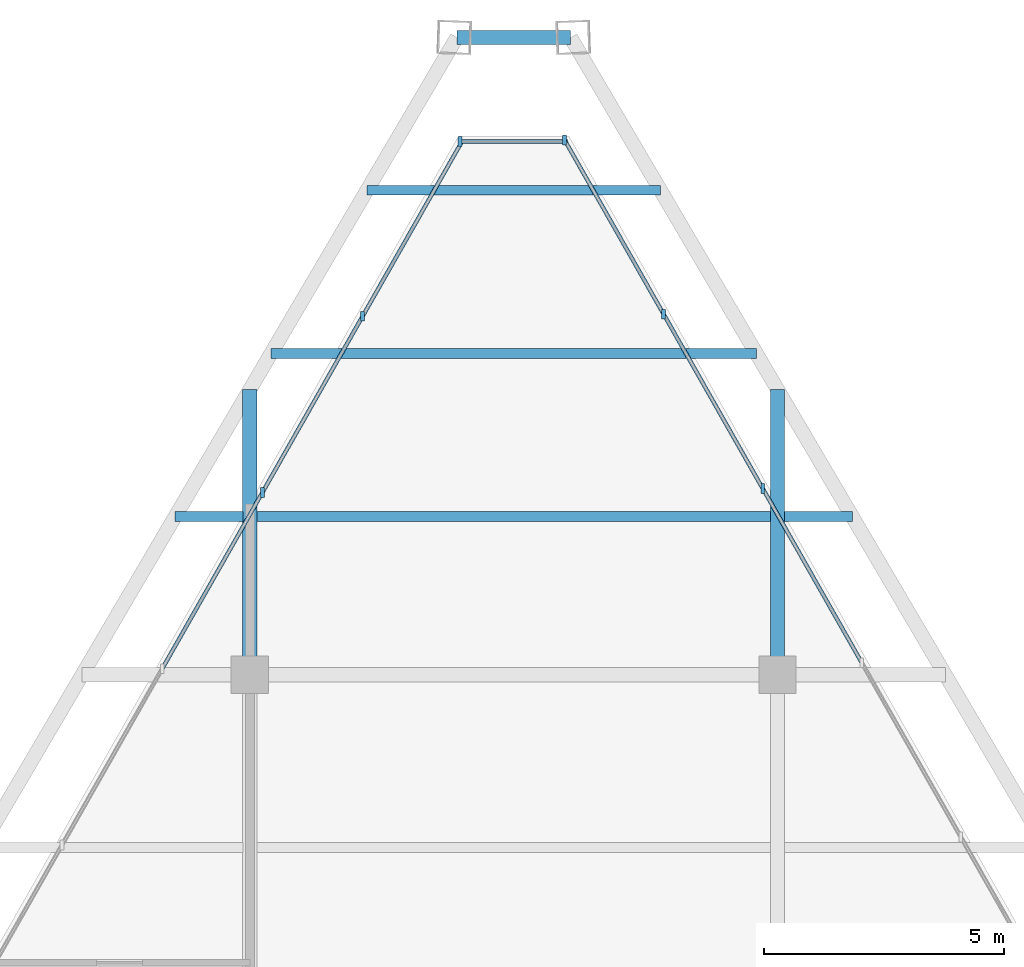
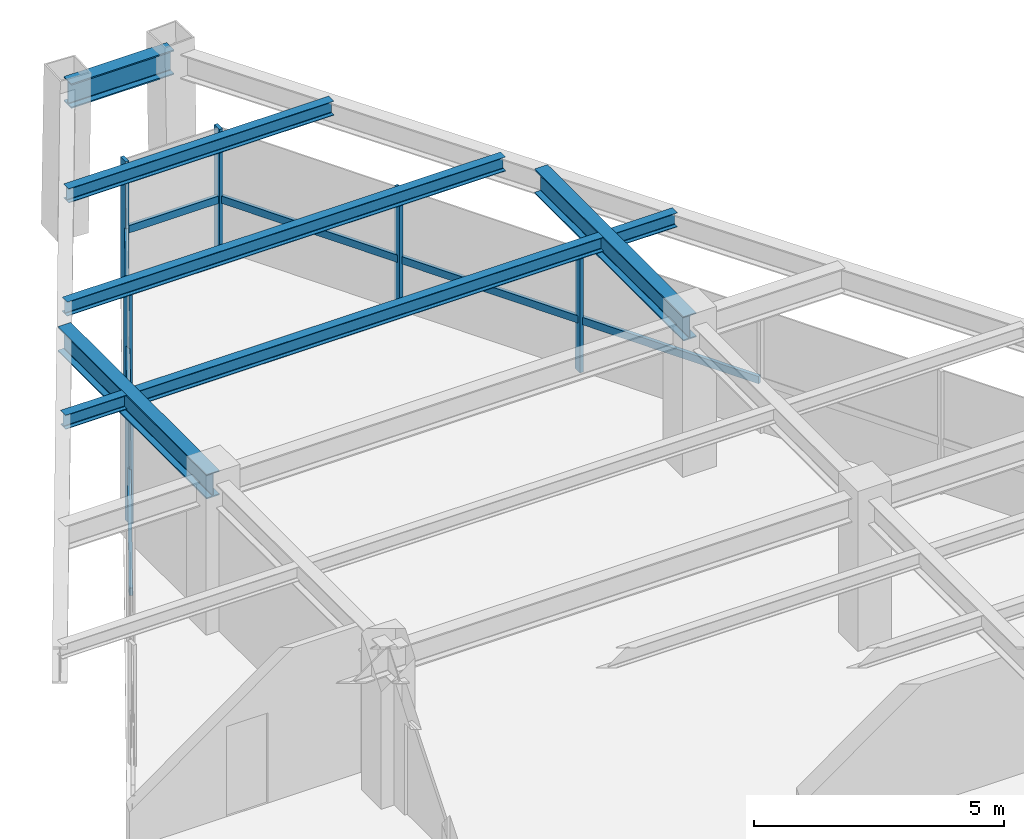
# One storey, part 8 of 12: 13 members, 8 beams, 3 elements without a shape of their own.
"""IFC4 building model written with IfcOpenShell, lengths in metres."""

from ifc_helpers import new_model, si_unit, direction, frame, origin, origin_2d, place, context, subcontext, project, spatial, rectangle, i_section, extrude, source, transform, mapped, material, material_profile, profile_set, type_object, type_shapes, element, aggregate, save


model = new_model("IFC4")

# Units and contexts
model_context = context("Model", 3, precision=1e-05, world=origin(), true_north=direction((0.0, 1.0)))
body_context = subcontext(model_context, "Body", "Model", "MODEL_VIEW")
ifc_project = project(units=[si_unit("LENGTHUNIT", "METRE"), si_unit("AREAUNIT", "SQUARE_METRE"), si_unit("VOLUMEUNIT", "CUBIC_METRE"), si_unit("PLANEANGLEUNIT", "RADIAN"), si_unit("MASSUNIT", "GRAM", prefix="KILO")], contexts=[model_context])

# Site, building, storey
site_placement = place(None, origin())
site = spatial("IfcSite", under=ifc_project, at=site_placement, CompositionType="ELEMENT")
building_placement = place(site_placement, origin())
building = spatial("IfcBuilding", under=site, at=building_placement, Name="Varnakhor Terracotta Tower", CompositionType="ELEMENT")
storey_placement = place(building_placement, frame((0.0, 0.0, 309.699951171875)))
storey = spatial("IfcBuildingStorey", under=building, at=storey_placement, Name="L81 Crown", CompositionType="ELEMENT", Elevation=309.699951171875)

# Beams
ifc_material_1 = material(Name="Steel S355", Category="steel")
ifc_material_profile_1 = material_profile(ifc_material_1, i_section(OverallWidth=0.300048828125, OverallDepth=0.60009765625, WebThickness=0.015380859375, FlangeThickness=0.030029296875, FilletRadius=0.01806640625, at=origin_2d()), Name="HEB600")
ifc_profile_set_1 = profile_set([ifc_material_profile_1], Name="Steel S355")
beam_type_1 = type_object("IfcBeamType", Name="BM-HEB600", PredefinedType="BEAM", material=ifc_profile_set_1)
shared_shape_1 = source(origin(), body_context, "Body", "SweptSolid", [
    extrude(i_section(OverallWidth=0.300048828125, OverallDepth=0.60009765625, WebThickness=0.015380859375, FlangeThickness=0.030029296875, FilletRadius=0.01806640625, at=origin_2d()), origin(), (0.0, 0.0, 1.0), 2.373046875),
])
beam_1_placement = place(storey_placement, frame((1.1865234375, 44.78759765625, 3.300048828125), z_axis=(-1.0, 0.0, 0.0), x_axis=(0.0, -1.0, 0.0)))
element("IfcBeam", 1, at=beam_1_placement, inside=storey, type_object=beam_type_1, Name="L81 Crown Perimeter Spandrel 5", PredefinedType="BEAM", context=body_context, shape_type="MappedRepresentation", body=[
    mapped(shared_shape_1, transform((0.0, 0.0, 0.0), scale=1.0)),
])
shared_shape_2 = source(origin(), body_context, "Body", "SweptSolid", [
    extrude(i_section(OverallWidth=0.300048828125, OverallDepth=0.60009765625, WebThickness=0.015380859375, FlangeThickness=0.030029296875, FilletRadius=0.01806640625, at=origin_2d()), origin(), (0.0, 0.0, 1.0), 5.949951171875),
])
for number, where, z_axis, x_axis, name in (
    (2, (-5.5, 31.5, 3.300048828125), (0.0, 1.0, 0.0), (-1.0, 0.0, 0.0), "L81 Crown Primary Girder NS3-W"),
    (3, (5.5, 31.5, 3.300048828125), (0.0, 1.0, 0.0), (-1.0, 0.0, 0.0), "L81 Crown Primary Girder NS3-E"),
):
    element("IfcBeam", number, at=place(storey_placement, frame(where, z_axis=z_axis, x_axis=x_axis)), inside=storey, type_object=beam_type_1, Name=name, PredefinedType="BEAM", context=body_context, shape_type="MappedRepresentation", body=[
        mapped(shared_shape_2, transform((0.0, 0.0, 0.0), scale=1.0)),
    ])
ifc_material_profile_2 = material_profile(ifc_material_1, i_section(OverallWidth=0.202880859375, OverallDepth=0.346923828125, WebThickness=0.0078125, FlangeThickness=0.013427734375, FilletRadius=0.01806640625, at=origin_2d()), Name="W14X43")
ifc_profile_set_2 = profile_set([ifc_material_profile_2], Name="Steel S355")
beam_type_2 = type_object("IfcBeamType", Name="JST-W14X43", PredefinedType="JOIST", material=ifc_profile_set_2)
shared_shape_3 = source(origin(), body_context, "Body", "SweptSolid", [
    extrude(i_section(OverallWidth=0.202880859375, OverallDepth=0.346923828125, WebThickness=0.0078125, FlangeThickness=0.013427734375, FilletRadius=0.01806640625, at=origin_2d()), origin(), (0.0, 0.0, 1.0), 10.7080078125),
])
beam_2_placement = place(storey_placement, frame((-5.35400390625, 34.800048828125, 3.426513671875), z_axis=(1.0, 0.0, 0.0), x_axis=(0.0, 1.0, 0.0)))
element("IfcBeam", 4, at=beam_2_placement, inside=storey, type_object=beam_type_2, Name="L81 Crown Composite Floor Joist 7-2", PredefinedType="JOIST", context=body_context, shape_type="MappedRepresentation", body=[
    mapped(shared_shape_3, transform((0.0, 0.0, 0.0), scale=1.0)),
])
shared_shape_4 = source(origin(), body_context, "Body", "SweptSolid", [
    extrude(i_section(OverallWidth=0.202880859375, OverallDepth=0.346923828125, WebThickness=0.0078125, FlangeThickness=0.013427734375, FilletRadius=0.01806640625, at=origin_2d()), origin(), (0.0, 0.0, 1.0), 1.411865234375),
])
for number, where, z_axis, x_axis, name in (
    (5, (-7.057861328125, 34.800048828125, 3.426513671875), (1.0, 0.0, 0.0), (0.0, 1.0, 0.0), "L81 Crown Composite Floor Joist 7-1"),
    (6, (5.64599609375, 34.800048828125, 3.426513671875), (1.0, 0.0, 0.0), (0.0, 1.0, 0.0), "L81 Crown Composite Floor Joist 7-3"),
):
    element("IfcBeam", number, at=place(storey_placement, frame(where, z_axis=z_axis, x_axis=x_axis)), inside=storey, type_object=beam_type_2, Name=name, PredefinedType="JOIST", context=body_context, shape_type="MappedRepresentation", body=[
        mapped(shared_shape_4, transform((0.0, 0.0, 0.0), scale=1.0)),
    ])
shared_shape_5 = source(origin(), body_context, "Body", "SweptSolid", [
    extrude(i_section(OverallWidth=0.202880859375, OverallDepth=0.346923828125, WebThickness=0.0078125, FlangeThickness=0.013427734375, FilletRadius=0.01806640625, at=origin_2d()), origin(), (0.0, 0.0, 1.0), 10.1181640625),
])
beam_3_placement = place(storey_placement, frame((-5.05908203125, 38.199951171875, 3.426513671875), z_axis=(1.0, 0.0, 0.0), x_axis=(0.0, 1.0, 0.0)))
element("IfcBeam", 7, at=beam_3_placement, inside=storey, type_object=beam_type_2, Name="L81 Crown Composite Floor Joist 8-1", PredefinedType="JOIST", context=body_context, shape_type="MappedRepresentation", body=[
    mapped(shared_shape_5, transform((0.0, 0.0, 0.0), scale=1.0)),
])
shared_shape_6 = source(origin(), body_context, "Body", "SweptSolid", [
    extrude(i_section(OverallWidth=0.202880859375, OverallDepth=0.346923828125, WebThickness=0.0078125, FlangeThickness=0.013427734375, FilletRadius=0.01806640625, at=origin_2d()), origin(), (0.0, 0.0, 1.0), 6.12060546875),
])
beam_4_placement = place(storey_placement, frame((-3.060302734375, 41.60009765625, 3.426513671875), z_axis=(1.0, 0.0, 0.0), x_axis=(0.0, 1.0, 0.0)))
element("IfcBeam", 8, at=beam_4_placement, inside=storey, type_object=beam_type_2, Name="L81 Crown Composite Floor Joist 9-1", PredefinedType="JOIST", context=body_context, shape_type="MappedRepresentation", body=[
    mapped(shared_shape_6, transform((0.0, 0.0, 0.0), scale=1.0)),
])

# Curtain wall, members
ifc_material_2 = material(Name="Anodised Aluminium Curtain Wall System", Category="aluminium")
curtain_wall_type = type_object("IfcCurtainWallType", Name="CW-SYS-CROWN", PredefinedType="NOTDEFINED", material=ifc_material_2)
curtain_wall_1_placement = place(storey_placement, origin())
curtain_wall_1 = element("IfcCurtainWall", 9, at=curtain_wall_1_placement, inside=storey, type_object=curtain_wall_type, Name="L81 Crown Facet Curtain Wall 1", PredefinedType="NOTDEFINED")
ifc_material_3 = material(Name="Anodised Aluminium 6063-T6", Category="aluminium")
ifc_material_profile_3 = material_profile(ifc_material_3, rectangle(XDim=0.080078125, YDim=0.205078125, at=origin_2d()), Name="ALU MULLION 80x205")
ifc_profile_set_3 = profile_set([ifc_material_profile_3], Name="Anodised Aluminium 6063-T6")
member_type_1 = type_object("IfcMemberType", Name="CWM-06", PredefinedType="MULLION", material=ifc_profile_set_3)
shared_shape_7 = source(origin(), body_context, "Body", "SweptSolid", [
    extrude(rectangle(XDim=0.080078125, YDim=0.205078125, at=origin_2d()), origin(), (0.0, 0.0, 1.0), 2.97998046875),
])
type_shapes(member_type_1, [shared_shape_7])
member_1_placement = place(storey_placement, frame((-5.23828125, 35.302490234375, 0.0), z_axis=(0.0, 0.0, 1.0), x_axis=(1.0, 0.0, 0.0)))
member_1 = element("IfcMember", 10, at=member_1_placement, type_object=member_type_1, Name="L81 Crown Facet Curtain Wall 1 Mullion 10", PredefinedType="MULLION", context=body_context, shape_type="MappedRepresentation", body=[
    mapped(shared_shape_7, transform((0.0, 0.0, 0.0), scale=1.0)),
])
member_2_placement = place(storey_placement, frame((-3.149169921875, 38.976806640625, 0.0), z_axis=(0.0, 0.0, 1.0), x_axis=(1.0, 0.0, 0.0)))
member_2 = element("IfcMember", 11, at=member_2_placement, type_object=member_type_1, Name="L81 Crown Facet Curtain Wall 1 Mullion 11", PredefinedType="MULLION", context=body_context, shape_type="MappedRepresentation", body=[
    mapped(shared_shape_7, transform((0.0, 0.0, 0.0), scale=1.0)),
])

# Curtain wall, member
curtain_wall_2_placement = place(storey_placement, origin())
curtain_wall_2 = element("IfcCurtainWall", 12, at=curtain_wall_2_placement, inside=storey, type_object=curtain_wall_type, Name="L81 Crown Facet Curtain Wall 2", PredefinedType="NOTDEFINED")
member_3_placement = place(storey_placement, frame((-1.119873046875, 42.61669921875, 0.0), z_axis=(0.0, 0.0, 1.0), x_axis=(1.0, 0.0, 0.0)))
member_3 = element("IfcMember", 13, at=member_3_placement, type_object=member_type_1, Name="L81 Crown Facet Curtain Wall 2 Mullion 1", PredefinedType="MULLION", context=body_context, shape_type="MappedRepresentation", body=[
    mapped(shared_shape_7, transform((0.0, 0.0, 0.0), scale=1.0)),
])

# Curtain wall, members
curtain_wall_3_placement = place(storey_placement, origin())
curtain_wall_3 = element("IfcCurtainWall", 14, at=curtain_wall_3_placement, inside=storey, type_object=curtain_wall_type, Name="L81 Crown Facet Curtain Wall 3", PredefinedType="NOTDEFINED")
member_4_placement = place(storey_placement, frame((1.060302734375, 42.6513671875, 0.0), z_axis=(0.0, 0.0, 1.0), x_axis=(1.0, 0.0, 0.0)))
member_4 = element("IfcMember", 15, at=member_4_placement, type_object=member_type_1, Name="L81 Crown Facet Curtain Wall 3 Mullion 1", PredefinedType="MULLION", context=body_context, shape_type="MappedRepresentation", body=[
    mapped(shared_shape_7, transform((0.0, 0.0, 0.0), scale=1.0)),
])
member_5_placement = place(storey_placement, frame((3.12548828125, 39.018798828125, 0.0), z_axis=(0.0, 0.0, 1.0), x_axis=(1.0, 0.0, 0.0)))
member_5 = element("IfcMember", 16, at=member_5_placement, type_object=member_type_1, Name="L81 Crown Facet Curtain Wall 3 Mullion 2", PredefinedType="MULLION", context=body_context, shape_type="MappedRepresentation", body=[
    mapped(shared_shape_7, transform((0.0, 0.0, 0.0), scale=1.0)),
])
member_6_placement = place(storey_placement, frame((5.190673828125, 35.385986328125, 0.0), z_axis=(0.0, 0.0, 1.0), x_axis=(1.0, 0.0, 0.0)))
member_6 = element("IfcMember", 17, at=member_6_placement, type_object=member_type_1, Name="L81 Crown Facet Curtain Wall 3 Mullion 3", PredefinedType="MULLION", context=body_context, shape_type="MappedRepresentation", body=[
    mapped(shared_shape_7, transform((0.0, 0.0, 0.0), scale=1.0)),
])

# Member
ifc_material_profile_4 = material_profile(ifc_material_3, rectangle(XDim=0.080078125, YDim=0.179931640625, at=origin_2d()), Name="ALU TRANSOM 80x180")
ifc_profile_set_4 = profile_set([ifc_material_profile_4], Name="Anodised Aluminium 6063-T6")
member_type_2 = type_object("IfcMemberType", Name="CWT-06", PredefinedType="USERDEFINED", material=ifc_profile_set_4)
shared_shape_8 = source(origin(), body_context, "Body", "SweptSolid", [
    extrude(rectangle(XDim=0.080078125, YDim=0.179931640625, at=origin_2d()), origin(), (0.0, 0.0, 1.0), 4.226806640625),
])
member_7_placement = place(storey_placement, frame((-7.3271484375, 31.6279296875, 1.251708984375), z_axis=(0.494196953509, 0.869349970462, 0.0), x_axis=(-0.869349970462, 0.494196953509, 0.0)))
member_7 = element("IfcMember", 18, at=member_7_placement, type_object=member_type_2, Name="L81 Crown Facet Curtain Wall 1 Transom 9", ObjectType="TRANSOM", PredefinedType="USERDEFINED", context=body_context, shape_type="MappedRepresentation", body=[
    mapped(shared_shape_8, transform((0.0, 0.0, 0.0), scale=1.0)),
])

member_8_placement = place(storey_placement, frame((-5.23828125, 35.302490234375, 1.251708984375), z_axis=(0.494265422466, 0.869311044538, 0.0), x_axis=(-0.869311044538, 0.494265422466, 0.0)))
member_8 = element("IfcMember", 19, at=member_8_placement, type_object=member_type_2, Name="L81 Crown Facet Curtain Wall 1 Transom 10", ObjectType="TRANSOM", PredefinedType="USERDEFINED", context=body_context, shape_type="MappedRepresentation", body=[
    mapped(shared_shape_8, transform((0.0, 0.0, 0.0), scale=1.0)),
])

member_9_placement = place(storey_placement, frame((-3.149169921875, 38.976806640625, 1.251708984375), z_axis=(0.494196953509, 0.869349970462, 0.0), x_axis=(-0.869349970462, 0.494196953509, 0.0)))
member_9 = element("IfcMember", 20, at=member_9_placement, type_object=member_type_2, Name="L81 Crown Facet Curtain Wall 1 Transom 11", ObjectType="TRANSOM", PredefinedType="USERDEFINED", context=body_context, shape_type="MappedRepresentation", body=[
    mapped(shared_shape_8, transform((0.0, 0.0, 0.0), scale=1.0)),
])

aggregate(curtain_wall_1, [member_7, member_1, member_8, member_2, member_9])

shared_shape_9 = source(origin(), body_context, "Body", "SweptSolid", [
    extrude(rectangle(XDim=0.080078125, YDim=0.179931640625, at=origin_2d()), origin(), (0.0, 0.0, 1.0), 2.23974609375),
])
member_10_placement = place(storey_placement, frame((-1.119873046875, 42.61669921875, 1.251708984375), z_axis=(1.0, 0.0, 0.0), x_axis=(0.0, 1.0, 0.0)))
member_10 = element("IfcMember", 21, at=member_10_placement, type_object=member_type_2, Name="L81 Crown Facet Curtain Wall 2 Transom 1", ObjectType="TRANSOM", PredefinedType="USERDEFINED", context=body_context, shape_type="MappedRepresentation", body=[
    mapped(shared_shape_9, transform((0.0, 0.0, 0.0), scale=1.0)),
])

aggregate(curtain_wall_2, [member_3, member_10])

shared_shape_10 = source(origin(), body_context, "Body", "SweptSolid", [
    extrude(rectangle(XDim=0.080078125, YDim=0.179931640625, at=origin_2d()), origin(), (0.0, 0.0, 1.0), 4.178466796875),
])
member_11_placement = place(storey_placement, frame((1.060302734375, 42.6513671875, 1.251708984375), z_axis=(0.494231234941, -0.869330481698, 0.0), x_axis=(0.869330481698, 0.494231234941, 0.0)))
member_11 = element("IfcMember", 22, at=member_11_placement, type_object=member_type_2, Name="L81 Crown Facet Curtain Wall 3 Transom 1", ObjectType="TRANSOM", PredefinedType="USERDEFINED", context=body_context, shape_type="MappedRepresentation", body=[
    mapped(shared_shape_10, transform((0.0, 0.0, 0.0), scale=1.0)),
])

member_12_placement = place(storey_placement, frame((5.190673828125, 35.385986328125, 1.251708984375), z_axis=(0.494231234941, -0.869330481698, 0.0), x_axis=(0.869330481698, 0.494231234941, 0.0)))
member_12 = element("IfcMember", 23, at=member_12_placement, type_object=member_type_2, Name="L81 Crown Facet Curtain Wall 3 Transom 3", ObjectType="TRANSOM", PredefinedType="USERDEFINED", context=body_context, shape_type="MappedRepresentation", body=[
    mapped(shared_shape_10, transform((0.0, 0.0, 0.0), scale=1.0)),
])

shared_shape_11 = source(origin(), body_context, "Body", "SweptSolid", [
    extrude(rectangle(XDim=0.080078125, YDim=0.179931640625, at=origin_2d()), origin(), (0.0, 0.0, 1.0), 4.1787109375),
])
member_13_placement = place(storey_placement, frame((3.12548828125, 39.018798828125, 1.251708984375), z_axis=(0.494206132973, -0.869344752174, 0.0), x_axis=(0.869344752174, 0.494206132973, 0.0)))
member_13 = element("IfcMember", 24, at=member_13_placement, type_object=member_type_2, Name="L81 Crown Facet Curtain Wall 3 Transom 2", ObjectType="TRANSOM", PredefinedType="USERDEFINED", context=body_context, shape_type="MappedRepresentation", body=[
    mapped(shared_shape_11, transform((0.0, 0.0, 0.0), scale=1.0)),
])

aggregate(curtain_wall_3, [member_4, member_11, member_5, member_13, member_6, member_12])

save(model, "model.ifc")
